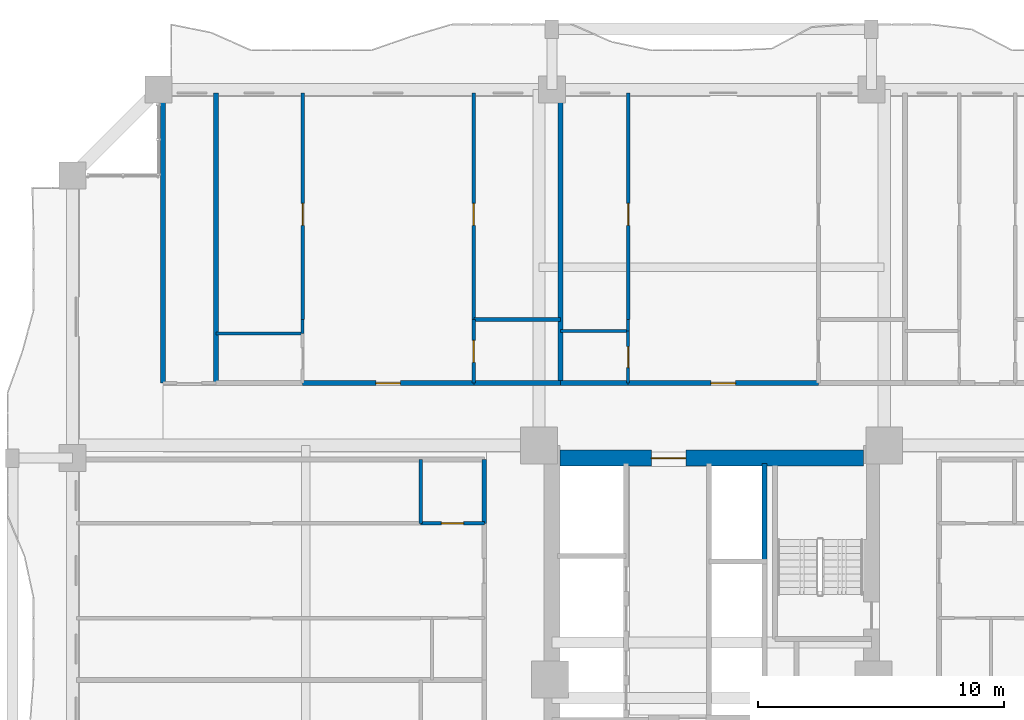
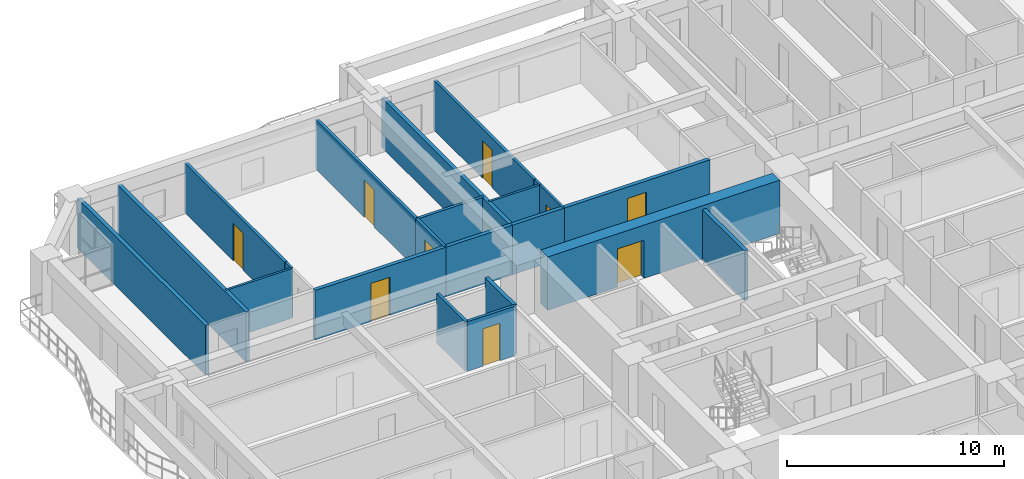
# One storey, part 19 of 28: 22 walls, 9 doors, 9 openings.
"""IFC4 building model written with IfcOpenShell, lengths in metres."""

from ifc_helpers import new_model, si_unit, direction, frame, frame_2d, origin, place, context, subcontext, project, spatial, rectangle, extrude, source, transform, mapped, material, layer, layer_set, type_object, element, fill, save


model = new_model("IFC4")

# Units and contexts
model_context = context("Model", 3, precision=1e-05, world=origin(), true_north=direction((0.0, 1.0)))
body_context = subcontext(model_context, "Body", "Model", "MODEL_VIEW")
ifc_project = project(units=[si_unit("LENGTHUNIT", "METRE"), si_unit("AREAUNIT", "SQUARE_METRE"), si_unit("VOLUMEUNIT", "CUBIC_METRE"), si_unit("PLANEANGLEUNIT", "RADIAN"), si_unit("MASSUNIT", "GRAM", prefix="KILO")], contexts=[model_context])

# Site, building, storey
site_placement = place(None, origin())
site = spatial("IfcSite", under=ifc_project, at=site_placement, CompositionType="ELEMENT")
building_placement = place(site_placement, origin())
building = spatial("IfcBuilding", under=site, at=building_placement, Name="Saelheon Loggia Tower", CompositionType="ELEMENT")
storey_placement = place(building_placement, frame((0.0, 0.0, 25.39990234375)))
storey = spatial("IfcBuildingStorey", under=building, at=storey_placement, Name="L07", CompositionType="ELEMENT", Elevation=25.39990234375)

# Wall, opening, door
ifc_material_1 = material(Name="Concrete C60/75", Category="concrete")
ifc_layer_1 = layer(ifc_material_1, 0.64990234375)
ifc_layer_set_1 = layer_set([ifc_layer_1], Name="Concrete C60/75")
wall_type_1 = type_object("IfcWallType", Name="Wall_CoreShear_650", PredefinedType="SHEAR", material=ifc_layer_set_1)
wall_1_placement = place(storey_placement, frame((31.824951171875, 36.0, 0.0), z_axis=(0.0, 0.0, 1.0), x_axis=(1.0, 0.0, 0.0)))
wall_1 = element("IfcWall", 1, at=wall_1_placement, inside=storey, type_object=wall_type_1, Name="L07 Core Shear Wall North", PredefinedType="SHEAR", context=body_context, shape_type="SweptSolid", body=[
    extrude(rectangle(XDim=12.35009765625, YDim=0.64990234375, at=frame_2d((6.175048828125, 0.0))), origin(), (0.0, 0.0, 1.0), 3.0),
])
opening_1_placement = place(wall_1_placement, frame((5.125, 0.0, 0.0), z_axis=(0.0, 0.0, 1.0), x_axis=(-1.0, 0.0, 0.0)))
opening_1 = element("IfcOpeningElement", 2, at=opening_1_placement, cuts=wall_1, Name="Opening D-FD2L", PredefinedType="OPENING", context=body_context, shape_type="SweptSolid", body=[
    extrude(rectangle(XDim=1.39990234375, YDim=2.14990234375, at=frame_2d((0.699951171875, 1.074951171875))), frame((0.0, 0.3369140625, 0.0), z_axis=(0.0, -1.0, 0.0), x_axis=(1.0, 0.0, 0.0)), (0.0, 0.0, 1.0), 0.673828125),
])
ifc_material_2 = material(Name="Galvanised Steel Glazed Lobby Fire Door", Category="steel")
door_type_1 = type_object("IfcDoorType", Name="Door_Fire_FD60_1400", OperationType="NOTDEFINED", PredefinedType="DOOR", material=ifc_material_2)
shared_shape_1 = source(origin(), body_context, "Body", "SweptSolid", [
    extrude(rectangle(XDim=1.39990234375, YDim=2.14990234375, at=frame_2d((0.699951171875, 1.074951171875))), frame((0.0, 0.02490234375, 0.0), z_axis=(0.0, -1.0, 0.0), x_axis=(1.0, 0.0, 0.0)), (0.0, 0.0, 1.0), 0.050048828125),
])
door_1_placement = place(opening_1_placement, origin())
door_1 = element("IfcDoor", 3, at=door_1_placement, inside=storey, type_object=door_type_1, Name="L07 Passenger Lift Lobby Main Door", OperationType="SINGLE_SWING_RIGHT", OverallHeight=2.14990234375, OverallWidth=1.39990234375, PredefinedType="DOOR", context=body_context, shape_type="MappedRepresentation", body=[
    mapped(shared_shape_1, transform((0.0, 0.0, 0.0), scale=1.0)),
])
fill(opening_1, door_1)

# Wall
ifc_material_3 = material(Name="Lightweight Autoclaved Aerated Concrete Block and Acoustic Gypsum", Category="concrete")
ifc_layer_2 = layer(ifc_material_3, 0.14990234375)
ifc_layer_set_2 = layer_set([ifc_layer_2], Name="Lightweight Autoclaved Aerated Concrete Block and Acoustic Gypsum")
wall_type_2 = type_object("IfcWallType", Name="Wall_Part_150", PredefinedType="PARTITIONING", material=ifc_layer_set_2)
wall_2_placement = place(storey_placement, frame((28.322998046875, 41.639892578125, 0.0), z_axis=(0.0, 0.0, 1.0), x_axis=(1.0, 0.0, 0.0)))
element("IfcWall", 4, at=wall_2_placement, inside=storey, type_object=wall_type_2, Name="L07 N Partition V09", PredefinedType="PARTITIONING", context=body_context, shape_type="SweptSolid", body=[
    extrude(rectangle(XDim=3.52880859375, YDim=0.14990234375, at=frame_2d((1.764404296875, 0.0))), origin(), (0.0, 0.0, 1.0), 2.7900390625),
])

# Wall, opening, door
wall_3_placement = place(storey_placement, frame((21.35888671875, 41.639892578125, 0.0), z_axis=(0.0, 0.0, 1.0), x_axis=(0.0, 1.0, 0.0)))
wall_3 = element("IfcWall", 5, at=wall_3_placement, inside=storey, type_object=wall_type_2, Name="L07 N Partition U12", PredefinedType="PARTITIONING", context=body_context, shape_type="SweptSolid", body=[
    extrude(rectangle(XDim=9.210205078125, YDim=0.14990234375, at=frame_2d((4.60498046875, 0.0))), origin(), (0.0, 0.0, 1.0), 2.7900390625),
])
opening_2_placement = place(wall_3_placement, frame((3.82861328125, 0.0, 0.0)))
opening_2 = element("IfcOpeningElement", 6, at=opening_2_placement, cuts=wall_3, Name="Opening D-IN2", PredefinedType="OPENING", context=body_context, shape_type="SweptSolid", body=[
    extrude(rectangle(XDim=0.89990234375, YDim=2.10009765625, at=frame_2d((0.449951171875, 1.050048828125))), frame((0.0, 0.0869140625, 0.0), z_axis=(0.0, -1.0, 0.0), x_axis=(1.0, 0.0, 0.0)), (0.0, 0.0, 1.0), 0.173828125),
])
ifc_material_4 = material(Name="Engineered Oak Flush Door", Category="timber")
door_type_2 = type_object("IfcDoorType", Name="Door_Int_900", OperationType="NOTDEFINED", PredefinedType="DOOR", material=ifc_material_4)
shared_shape_2 = source(origin(), body_context, "Body", "SweptSolid", [
    extrude(rectangle(XDim=0.89990234375, YDim=2.10009765625, at=frame_2d((0.449951171875, 1.050048828125))), frame((0.0, 0.02490234375, 0.0), z_axis=(0.0, -1.0, 0.0), x_axis=(1.0, 0.0, 0.0)), (0.0, 0.0, 1.0), 0.050048828125),
])
door_2_placement = place(opening_2_placement, origin())
door_2 = element("IfcDoor", 7, at=door_2_placement, inside=storey, type_object=door_type_2, Name="Unit U07 Bedroom 2 Door", OperationType="SINGLE_SWING_RIGHT", OverallHeight=2.10009765625, OverallWidth=0.89990234375, PredefinedType="DOOR", context=body_context, shape_type="MappedRepresentation", body=[
    mapped(shared_shape_2, transform((0.0, 0.0, 0.0), scale=1.0)),
])
fill(opening_2, door_2)

wall_4_placement = place(storey_placement, frame((28.322998046875, 39.050048828125, 0.0), z_axis=(0.0, 0.0, 1.0), x_axis=(0.0, 1.0, 0.0)))
wall_4 = element("IfcWall", 8, at=wall_4_placement, inside=storey, type_object=wall_type_2, Name="L07 N Partition U13", PredefinedType="PARTITIONING", context=body_context, shape_type="SweptSolid", body=[
    extrude(rectangle(XDim=2.58984375, YDim=0.14990234375, at=frame_2d((1.294921875, 0.0))), origin(), (0.0, 0.0, 1.0), 2.7900390625),
])
opening_3_placement = place(wall_4_placement, frame((0.844970703125, 0.0, 0.0)))
opening_3 = element("IfcOpeningElement", 9, at=opening_3_placement, cuts=wall_4, Name="Opening D-IN2", PredefinedType="OPENING", context=body_context, shape_type="SweptSolid", body=[
    extrude(rectangle(XDim=0.89990234375, YDim=2.10009765625, at=frame_2d((0.449951171875, 1.050048828125))), frame((0.0, 0.0869140625, 0.0), z_axis=(0.0, -1.0, 0.0), x_axis=(1.0, 0.0, 0.0)), (0.0, 0.0, 1.0), 0.173828125),
])
door_3_placement = place(opening_3_placement, origin())
door_3 = element("IfcDoor", 10, at=door_3_placement, inside=storey, type_object=door_type_2, Name="Unit U07 Kitchen Door", OperationType="SINGLE_SWING_LEFT", OverallHeight=2.10009765625, OverallWidth=0.89990234375, PredefinedType="DOOR", context=body_context, shape_type="MappedRepresentation", body=[
    mapped(shared_shape_2, transform((0.0, 0.0, 0.0), scale=1.0)),
])
fill(opening_3, door_3)

wall_5_placement = place(storey_placement, frame((28.322998046875, 41.639892578125, 0.0), z_axis=(0.0, 0.0, 1.0), x_axis=(0.0, 1.0, 0.0)))
wall_5 = element("IfcWall", 11, at=wall_5_placement, inside=storey, type_object=wall_type_2, Name="L07 N Partition U14", PredefinedType="PARTITIONING", context=body_context, shape_type="SweptSolid", body=[
    extrude(rectangle(XDim=9.210205078125, YDim=0.14990234375, at=frame_2d((4.60498046875, 0.0))), origin(), (0.0, 0.0, 1.0), 2.7900390625),
])
opening_4_placement = place(wall_5_placement, frame((3.82861328125, 0.0, 0.0)))
opening_4 = element("IfcOpeningElement", 12, at=opening_4_placement, cuts=wall_5, Name="Opening D-IN2", PredefinedType="OPENING", context=body_context, shape_type="SweptSolid", body=[
    extrude(rectangle(XDim=0.89990234375, YDim=2.10009765625, at=frame_2d((0.449951171875, 1.050048828125))), frame((0.0, 0.0869140625, 0.0), z_axis=(0.0, -1.0, 0.0), x_axis=(1.0, 0.0, 0.0)), (0.0, 0.0, 1.0), 0.173828125),
])
door_4_placement = place(opening_4_placement, origin())
door_4 = element("IfcDoor", 13, at=door_4_placement, inside=storey, type_object=door_type_2, Name="Unit U07 Bedroom 1 Door", OperationType="SINGLE_SWING_RIGHT", OverallHeight=2.10009765625, OverallWidth=0.89990234375, PredefinedType="DOOR", context=body_context, shape_type="MappedRepresentation", body=[
    mapped(shared_shape_2, transform((0.0, 0.0, 0.0), scale=1.0)),
])
fill(opening_4, door_4)

wall_6_placement = place(storey_placement, frame((34.601806640625, 41.639892578125, 0.0), z_axis=(0.0, 0.0, 1.0), x_axis=(0.0, 1.0, 0.0)))
wall_6 = element("IfcWall", 14, at=wall_6_placement, inside=storey, type_object=wall_type_2, Name="L07 N Partition U23", PredefinedType="PARTITIONING", context=body_context, shape_type="SweptSolid", body=[
    extrude(rectangle(XDim=9.210205078125, YDim=0.14990234375, at=frame_2d((4.60498046875, 0.0))), origin(), (0.0, 0.0, 1.0), 2.7900390625),
])
opening_5_placement = place(wall_6_placement, frame((3.82861328125, 0.0, 0.0)))
opening_5 = element("IfcOpeningElement", 15, at=opening_5_placement, cuts=wall_6, Name="Opening D-IN2", PredefinedType="OPENING", context=body_context, shape_type="SweptSolid", body=[
    extrude(rectangle(XDim=0.89990234375, YDim=2.10009765625, at=frame_2d((0.449951171875, 1.050048828125))), frame((0.0, 0.0869140625, 0.0), z_axis=(0.0, -1.0, 0.0), x_axis=(1.0, 0.0, 0.0)), (0.0, 0.0, 1.0), 0.173828125),
])
door_5_placement = place(opening_5_placement, origin())
door_5 = element("IfcDoor", 16, at=door_5_placement, inside=storey, type_object=door_type_2, Name="Unit U08 Kitchen Door", OperationType="SINGLE_SWING_LEFT", OverallHeight=2.10009765625, OverallWidth=0.89990234375, PredefinedType="DOOR", context=body_context, shape_type="MappedRepresentation", body=[
    mapped(shared_shape_2, transform((0.0, 0.0, 0.0), scale=1.0)),
])
fill(opening_5, door_5)

# Wall
wall_7_placement = place(storey_placement, frame((26.159912109375, 33.35009765625, 0.0), z_axis=(0.0, 0.0, 1.0), x_axis=(0.0, 1.0, 0.0)))
element("IfcWall", 17, at=wall_7_placement, inside=storey, type_object=wall_type_2, Name="L07 W Partition V18", PredefinedType="PARTITIONING", context=body_context, shape_type="SweptSolid", body=[
    extrude(rectangle(XDim=2.599853515625, YDim=0.14990234375, at=frame_2d((1.2998046875, 0.0))), origin(), (0.0, 0.0, 1.0), 2.7900390625),
])

# Wall, opening, door
wall_8_placement = place(storey_placement, frame((28.75, 33.35009765625, 0.0), z_axis=(0.0, 0.0, 1.0), x_axis=(-1.0, 0.0, 0.0)))
wall_8 = element("IfcWall", 18, at=wall_8_placement, inside=storey, type_object=wall_type_2, Name="L07 W Partition U22", PredefinedType="PARTITIONING", context=body_context, shape_type="SweptSolid", body=[
    extrude(rectangle(XDim=2.590087890625, YDim=0.14990234375, at=frame_2d((1.294921875, 0.0))), origin(), (0.0, 0.0, 1.0), 2.7900390625),
])
opening_6_placement = place(wall_8_placement, frame((0.844970703125, 0.0, 0.0)))
opening_6 = element("IfcOpeningElement", 19, at=opening_6_placement, cuts=wall_8, Name="Opening D-IN2", PredefinedType="OPENING", context=body_context, shape_type="SweptSolid", body=[
    extrude(rectangle(XDim=0.89990234375, YDim=2.10009765625, at=frame_2d((0.449951171875, 1.050048828125))), frame((0.0, 0.0869140625, 0.0), z_axis=(0.0, -1.0, 0.0), x_axis=(1.0, 0.0, 0.0)), (0.0, 0.0, 1.0), 0.173828125),
])
door_6_placement = place(opening_6_placement, origin())
door_6 = element("IfcDoor", 20, at=door_6_placement, inside=storey, type_object=door_type_2, Name="Unit U12 Dressing Closet Door", OperationType="SINGLE_SWING_RIGHT", OverallHeight=2.10009765625, OverallWidth=0.89990234375, PredefinedType="DOOR", context=body_context, shape_type="MappedRepresentation", body=[
    mapped(shared_shape_2, transform((0.0, 0.0, 0.0), scale=1.0)),
])
fill(opening_6, door_6)

# Walls
ifc_material_5 = material(Name="Double Acoustic Stud and Fireboard Partition", Category="gypsum")
ifc_layer_3 = layer(ifc_material_5, 0.199951171875)
ifc_layer_set_3 = layer_set([ifc_layer_3], Name="Double Acoustic Stud and Fireboard Partition")
wall_type_3 = type_object("IfcWallType", Name="Wall_Party_200", PredefinedType="PARTITIONING", material=ifc_layer_set_3)
for number, where, z_axis, x_axis, name in (
    (21, (15.679931640625, 39.050048828125, 0.0), (0.0, 0.0, 1.0), (0.0, 1.0, 0.0), "L07 N Partition U01"),
    (22, (17.830078125, 39.050048828125, 0.0), (0.0, 0.0, 1.0), (0.0, 1.0, 0.0), "L07 N Partition U03"),
):
    element("IfcWall", number, at=place(storey_placement, frame(where, z_axis=z_axis, x_axis=x_axis)), inside=storey, type_object=wall_type_3, Name=name, PredefinedType="PARTITIONING", context=body_context, shape_type="SweptSolid", body=[
        extrude(rectangle(XDim=11.800048828125, YDim=0.199951171875, at=frame_2d((5.89990234375, 0.0))), origin(), (0.0, 0.0, 1.0), 2.7900390625),
    ])

# Wall, opening, door
wall_9_placement = place(storey_placement, frame((21.35888671875, 39.050048828125, 0.0), z_axis=(0.0, 0.0, 1.0), x_axis=(1.0, 0.0, 0.0)))
wall_9 = element("IfcWall", 23, at=wall_9_placement, inside=storey, type_object=wall_type_3, Name="L07 N Partition V06", PredefinedType="PARTITIONING", context=body_context, shape_type="SweptSolid", body=[
    extrude(rectangle(XDim=6.964111328125, YDim=0.199951171875, at=frame_2d((3.48193359375, 0.0))), origin(), (0.0, 0.0, 1.0), 2.7900390625),
])
opening_7_placement = place(wall_9_placement, frame((2.982177734375, 0.0, 0.0)))
opening_7 = element("IfcOpeningElement", 24, at=opening_7_placement, cuts=wall_9, Name="Opening D-FD1", PredefinedType="OPENING", context=body_context, shape_type="SweptSolid", body=[
    extrude(rectangle(XDim=1.0, YDim=2.14990234375, at=frame_2d((0.5, 1.074951171875))), frame((0.0, 0.112060546875, 0.0), z_axis=(0.0, -1.0, 0.0), x_axis=(1.0, 0.0, 0.0)), (0.0, 0.0, 1.0), 0.223876953125),
])
ifc_material_6 = material(Name="Fire-Rated Engineered Timber Entrance Door", Category="wood")
door_type_3 = type_object("IfcDoorType", Name="Door_Flat_FD30S", OperationType="NOTDEFINED", PredefinedType="DOOR", material=ifc_material_6)
shared_shape_3 = source(origin(), body_context, "Body", "SweptSolid", [
    extrude(rectangle(XDim=1.0, YDim=2.14990234375, at=frame_2d((0.5, 1.074951171875))), frame((0.0, 0.02490234375, 0.0), z_axis=(0.0, -1.0, 0.0), x_axis=(1.0, 0.0, 0.0)), (0.0, 0.0, 1.0), 0.050048828125),
])
door_7_placement = place(opening_7_placement, origin())
door_7 = element("IfcDoor", 25, at=door_7_placement, inside=storey, type_object=door_type_3, Name="Unit U07 Entrance Door", OperationType="SINGLE_SWING_RIGHT", OverallHeight=2.14990234375, OverallWidth=1.0, PredefinedType="DOOR", context=body_context, shape_type="MappedRepresentation", body=[
    mapped(shared_shape_3, transform((0.0, 0.0, 0.0), scale=1.0)),
])
fill(opening_7, door_7)

# Walls
wall_10_placement = place(storey_placement, frame((28.322998046875, 39.050048828125, 0.0), z_axis=(0.0, 0.0, 1.0), x_axis=(1.0, 0.0, 0.0)))
element("IfcWall", 26, at=wall_10_placement, inside=storey, type_object=wall_type_3, Name="L07 N Partition V07", PredefinedType="PARTITIONING", context=body_context, shape_type="SweptSolid", body=[
    extrude(rectangle(XDim=3.52880859375, YDim=0.199951171875, at=frame_2d((1.764404296875, 0.0))), origin(), (0.0, 0.0, 1.0), 2.7900390625),
])
wall_11_placement = place(storey_placement, frame((31.851806640625, 39.050048828125, 0.0), z_axis=(0.0, 0.0, 1.0), x_axis=(0.0, 1.0, 0.0)))
element("IfcWall", 27, at=wall_11_placement, inside=storey, type_object=wall_type_3, Name="L07 N Partition U15", PredefinedType="PARTITIONING", context=body_context, shape_type="SweptSolid", body=[
    extrude(rectangle(XDim=11.800048828125, YDim=0.199951171875, at=frame_2d((5.89990234375, 0.0))), origin(), (0.0, 0.0, 1.0), 2.7900390625),
])
wall_12_placement = place(storey_placement, frame((31.851806640625, 39.050048828125, 0.0), z_axis=(0.0, 0.0, 1.0), x_axis=(1.0, 0.0, 0.0)))
element("IfcWall", 28, at=wall_12_placement, inside=storey, type_object=wall_type_3, Name="L07 N Partition V16", PredefinedType="PARTITIONING", context=body_context, shape_type="SweptSolid", body=[
    extrude(rectangle(XDim=2.75, YDim=0.199951171875, at=frame_2d((1.375, 0.0))), origin(), (0.0, 0.0, 1.0), 2.7900390625),
])

# Wall, opening, door
wall_13_placement = place(storey_placement, frame((34.601806640625, 39.050048828125, 0.0), z_axis=(0.0, 0.0, 1.0), x_axis=(1.0, 0.0, 0.0)))
wall_13 = element("IfcWall", 29, at=wall_13_placement, inside=storey, type_object=wall_type_3, Name="L07 N Partition V17", PredefinedType="PARTITIONING", context=body_context, shape_type="SweptSolid", body=[
    extrude(rectangle(XDim=7.74267578125, YDim=0.199951171875, at=frame_2d((3.871337890625, 0.0))), origin(), (0.0, 0.0, 1.0), 2.7900390625),
])
opening_8_placement = place(wall_13_placement, frame((3.371337890625, 0.0, 0.0)))
opening_8 = element("IfcOpeningElement", 30, at=opening_8_placement, cuts=wall_13, Name="Opening D-FD1", PredefinedType="OPENING", context=body_context, shape_type="SweptSolid", body=[
    extrude(rectangle(XDim=1.0, YDim=2.14990234375, at=frame_2d((0.5, 1.074951171875))), frame((0.0, 0.112060546875, 0.0), z_axis=(0.0, -1.0, 0.0), x_axis=(1.0, 0.0, 0.0)), (0.0, 0.0, 1.0), 0.223876953125),
])
door_8_placement = place(opening_8_placement, origin())
door_8 = element("IfcDoor", 31, at=door_8_placement, inside=storey, type_object=door_type_3, Name="Unit U08 Entrance Door", OperationType="SINGLE_SWING_LEFT", OverallHeight=2.14990234375, OverallWidth=1.0, PredefinedType="DOOR", context=body_context, shape_type="MappedRepresentation", body=[
    mapped(shared_shape_3, transform((0.0, 0.0, 0.0), scale=1.0)),
])
fill(opening_8, door_8)

# Walls
wall_14_placement = place(storey_placement, frame((28.75, 33.35009765625, 0.0), z_axis=(0.0, 0.0, 1.0), x_axis=(0.0, 1.0, 0.0)))
element("IfcWall", 32, at=wall_14_placement, inside=storey, type_object=wall_type_3, Name="L07 W Partition V16", PredefinedType="PARTITIONING", context=body_context, shape_type="SweptSolid", body=[
    extrude(rectangle(XDim=2.599853515625, YDim=0.199951171875, at=frame_2d((1.2998046875, 0.0))), origin(), (0.0, 0.0, 1.0), 2.7900390625),
])
ifc_material_7 = material(Name="Concrete C40/50", Category="concrete")
ifc_layer_4 = layer(ifc_material_7, 0.199951171875)
ifc_layer_set_4 = layer_set([ifc_layer_4], Name="Concrete C40/50")
wall_type_4 = type_object("IfcWallType", Name="Wall_Shaft_200", PredefinedType="PARTITIONING", material=ifc_layer_set_4)
wall_15_placement = place(storey_placement, frame((40.14990234375, 31.800048828125, 0.0), z_axis=(0.0, 0.0, 1.0), x_axis=(0.0, 1.0, 0.0)))
element("IfcWall", 33, at=wall_15_placement, inside=storey, type_object=wall_type_4, Name="L07 East High-Rise Hoistway East Wall", PredefinedType="PARTITIONING", context=body_context, shape_type="SweptSolid", body=[
    extrude(rectangle(XDim=3.97998046875, YDim=0.199951171875, at=frame_2d((1.989990234375, 0.0))), origin(), (0.0, 0.0, 1.0), 2.7900390625),
])
ifc_material_8 = material(Name="Moisture-Resistant Cement Board Partition", Category="gypsum")
ifc_layer_5 = layer(ifc_material_8, 0.1201171875)
ifc_layer_set_5 = layer_set([ifc_layer_5], Name="Moisture-Resistant Cement Board Partition")
wall_type_5 = type_object("IfcWallType", Name="Wall_WetPart_120", PredefinedType="PARTITIONING", material=ifc_layer_set_5)
wall_16_placement = place(storey_placement, frame((17.830078125, 41.070068359375, 0.0), z_axis=(0.0, 0.0, 1.0), x_axis=(1.0, 0.0, 0.0)))
element("IfcWall", 34, at=wall_16_placement, inside=storey, type_object=wall_type_5, Name="L07 N Partition V08", PredefinedType="PARTITIONING", context=body_context, shape_type="SweptSolid", body=[
    extrude(rectangle(XDim=3.52880859375, YDim=0.1201171875, at=frame_2d((1.764404296875, 0.0))), origin(), (0.0, 0.0, 1.0), 2.7900390625),
])
wall_17_placement = place(storey_placement, frame((21.35888671875, 41.070068359375, 0.0), z_axis=(0.0, 0.0, 1.0), x_axis=(0.0, 1.0, 0.0)))
element("IfcWall", 35, at=wall_17_placement, inside=storey, type_object=wall_type_5, Name="L07 N Partition U11", PredefinedType="PARTITIONING", context=body_context, shape_type="SweptSolid", body=[
    extrude(rectangle(XDim=0.56982421875, YDim=0.1201171875, at=frame_2d((0.284912109375, 0.0))), origin(), (0.0, 0.0, 1.0), 2.7900390625),
])
wall_18_placement = place(storey_placement, frame((31.851806640625, 41.169921875, 0.0), z_axis=(0.0, 0.0, 1.0), x_axis=(1.0, 0.0, 0.0)))
element("IfcWall", 36, at=wall_18_placement, inside=storey, type_object=wall_type_5, Name="L07 N Partition V19", PredefinedType="PARTITIONING", context=body_context, shape_type="SweptSolid", body=[
    extrude(rectangle(XDim=2.75, YDim=0.1201171875, at=frame_2d((1.375, 0.0))), origin(), (0.0, 0.0, 1.0), 2.7900390625),
])

# Wall, opening, door
wall_19_placement = place(storey_placement, frame((34.601806640625, 39.050048828125, 0.0), z_axis=(0.0, 0.0, 1.0), x_axis=(0.0, 1.0, 0.0)))
wall_19 = element("IfcWall", 37, at=wall_19_placement, inside=storey, type_object=wall_type_5, Name="L07 N Partition U21", PredefinedType="PARTITIONING", context=body_context, shape_type="SweptSolid", body=[
    extrude(rectangle(XDim=2.119873046875, YDim=0.1201171875, at=frame_2d((1.06005859375, 0.0))), origin(), (0.0, 0.0, 1.0), 2.7900390625),
])
opening_9_placement = place(wall_19_placement, frame((0.635009765625, 0.0, 0.0)))
opening_9 = element("IfcOpeningElement", 38, at=opening_9_placement, cuts=wall_19, Name="Opening D-BT1", PredefinedType="OPENING", context=body_context, shape_type="SweptSolid", body=[
    extrude(rectangle(XDim=0.85009765625, YDim=2.050048828125, at=frame_2d((0.425048828125, 1.02490234375))), frame((0.0, 0.072021484375, 0.0), z_axis=(0.0, -1.0, 0.0), x_axis=(1.0, 0.0, 0.0)), (0.0, 0.0, 1.0), 0.14404296875),
])
ifc_material_9 = material(Name="Moisture-Resistant Laminate Timber Door", Category="wood")
door_type_4 = type_object("IfcDoorType", Name="Door_Bath_850", OperationType="NOTDEFINED", PredefinedType="DOOR", material=ifc_material_9)
shared_shape_4 = source(origin(), body_context, "Body", "SweptSolid", [
    extrude(rectangle(XDim=0.85009765625, YDim=2.050048828125, at=frame_2d((0.425048828125, 1.02490234375))), frame((0.0, 0.02490234375, 0.0), z_axis=(0.0, -1.0, 0.0), x_axis=(1.0, 0.0, 0.0)), (0.0, 0.0, 1.0), 0.050048828125),
])
door_9_placement = place(opening_9_placement, origin())
door_9 = element("IfcDoor", 39, at=door_9_placement, inside=storey, type_object=door_type_4, Name="Unit U08 Bathroom Door", OperationType="SINGLE_SWING_RIGHT", OverallHeight=2.050048828125, OverallWidth=0.85009765625, PredefinedType="DOOR", context=body_context, shape_type="MappedRepresentation", body=[
    mapped(shared_shape_4, transform((0.0, 0.0, 0.0), scale=1.0)),
])
fill(opening_9, door_9)

# Wall
wall_20_placement = place(storey_placement, frame((34.601806640625, 41.169921875, 0.0), z_axis=(0.0, 0.0, 1.0), x_axis=(0.0, 1.0, 0.0)))
element("IfcWall", 40, at=wall_20_placement, inside=storey, type_object=wall_type_5, Name="L07 N Partition U22", PredefinedType="PARTITIONING", context=body_context, shape_type="SweptSolid", body=[
    extrude(rectangle(XDim=0.469970703125, YDim=0.1201171875, at=frame_2d((0.23486328125, 0.0))), origin(), (0.0, 0.0, 1.0), 2.7900390625),
])

save(model, "model.ifc")
